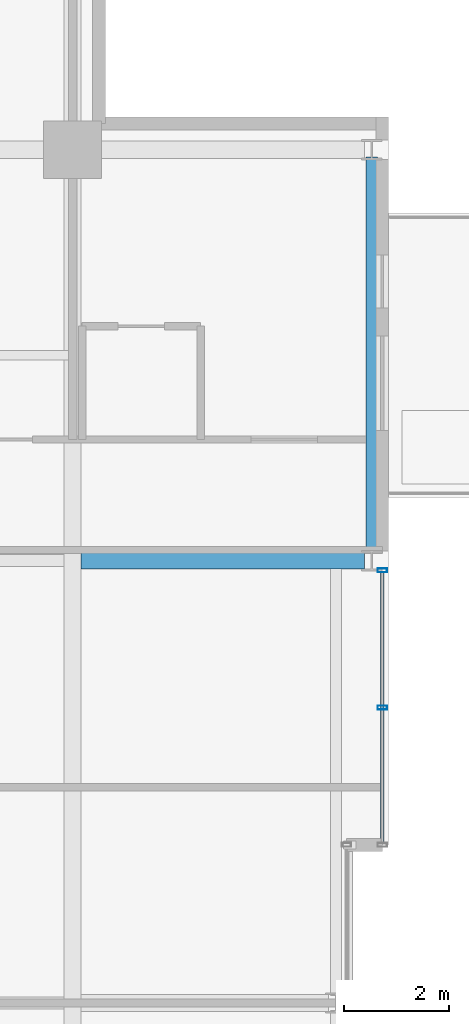
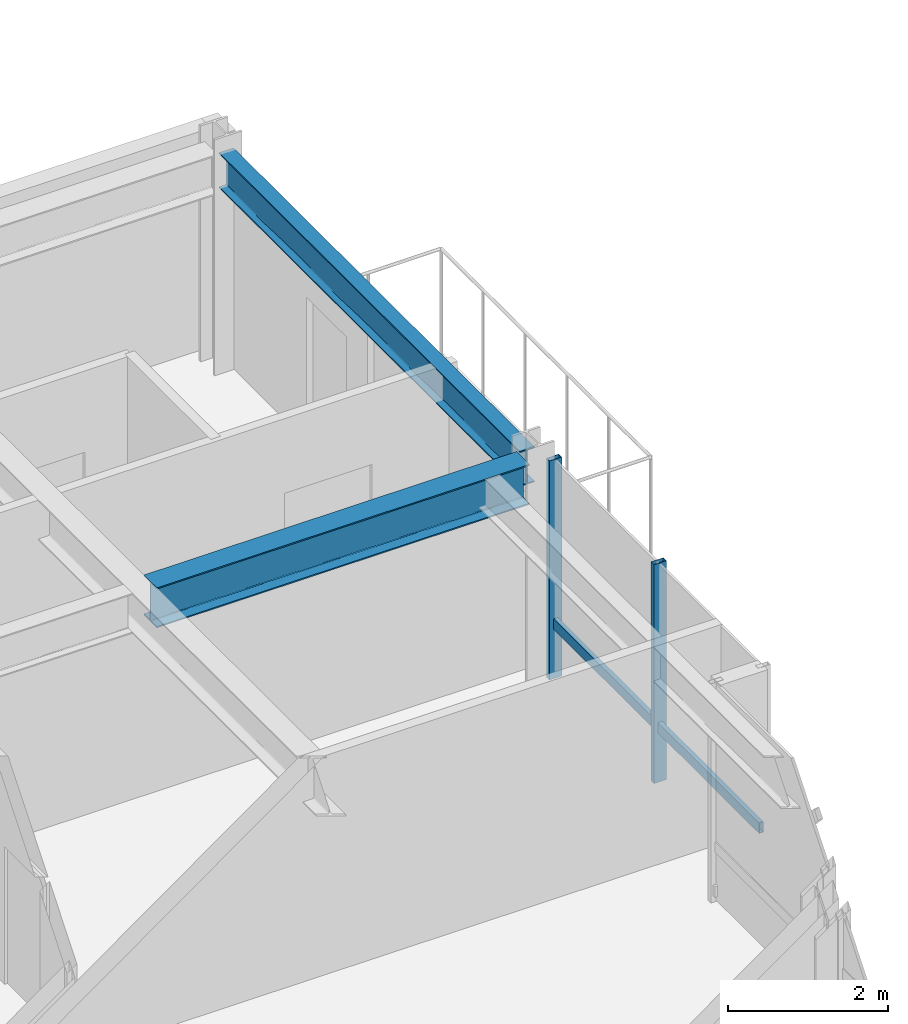
# One storey, part 22 of 32: 3 members, 2 beams, 1 element without a shape of its own.
"""IFC4 building model written with IfcOpenShell, lengths in metres."""

from ifc_helpers import new_model, si_unit, direction, frame, origin, origin_2d, place, context, subcontext, project, spatial, hollow_rectangle, i_section, extrude, material, layer, layer_set, material_profile, profile_set, type_object, element, aggregate, save


model = new_model("IFC4")

# Units and contexts
model_context = context("Model", 3, precision=1e-05, world=origin(), true_north=direction((0.0, 1.0)))
body_context = subcontext(model_context, "Body", "Model", "MODEL_VIEW")
ifc_project = project(units=[si_unit("LENGTHUNIT", "METRE"), si_unit("AREAUNIT", "SQUARE_METRE"), si_unit("VOLUMEUNIT", "CUBIC_METRE"), si_unit("PLANEANGLEUNIT", "RADIAN"), si_unit("MASSUNIT", "GRAM", prefix="KILO")], contexts=[model_context])

# Site, building, storey
site_placement = place(None, origin())
site = spatial("IfcSite", under=ifc_project, at=site_placement, CompositionType="ELEMENT")
building_placement = place(site_placement, origin())
building = spatial("IfcBuilding", under=site, at=building_placement, Name="Drelvath Grand Hotel", CompositionType="ELEMENT")
storey_placement = place(building_placement, frame((0.0, 0.0, 205.10009765625)))
storey = spatial("IfcBuildingStorey", under=building, at=storey_placement, Name="L53", CompositionType="ELEMENT", Elevation=205.10009765625)

# Curtain wall, members
ifc_material_1 = material(Name="Platinum-Mist Anodised Aluminium Frame", Category="aluminium")
ifc_layer = layer(ifc_material_1, 0.199951171875)
ifc_layer_set = layer_set([ifc_layer], Name="Platinum-Mist Anodised Aluminium Frame")
curtain_wall_type = type_object("IfcCurtainWallType", Name="Stick Curtain Wall CW-05 Platinum Mist High-Rise", PredefinedType="NOTDEFINED", material=ifc_layer_set)
curtain_wall_placement = place(storey_placement, origin())
curtain_wall = element("IfcCurtainWall", 1, at=curtain_wall_placement, inside=storey, type_object=curtain_wall_type, Name="L53 CW-05 Curtain Wall CW05-L53-EN1", PredefinedType="NOTDEFINED")
ifc_material_profile_1 = material_profile(ifc_material_1, hollow_rectangle(XDim=0.06494140625, YDim=0.159912109375, WallThickness=0.00390625, at=origin_2d()), Name="HSS160X65X4")
ifc_profile_set_1 = profile_set([ifc_material_profile_1], Name="Platinum-Mist Anodised Aluminium Frame")
member_type_1 = type_object("IfcMemberType", Name="Curtain Wall Horizontal Transom CW-05 HSS160X65X4", PredefinedType="USERDEFINED", material=ifc_profile_set_1)
member_1_placement = place(storey_placement, frame((22.080078125, 35.1748046875, 0.8349609375), z_axis=(0.0, -1.0, 0.0), x_axis=(1.0, 0.0, 0.0)))
member_1 = element("IfcMember", 2, at=member_1_placement, type_object=member_type_1, Name="CW05-L53-EN1 Sill Transom", ObjectType="TRANSOM", PredefinedType="USERDEFINED", context=body_context, shape_type="SweptSolid", body=[
    extrude(hollow_rectangle(XDim=0.06494140625, YDim=0.159912109375, WallThickness=0.00390625, at=origin_2d()), origin(), (0.0, 0.0, 1.0), 5.134765625),
])
ifc_material_profile_2 = material_profile(ifc_material_1, hollow_rectangle(XDim=0.074951171875, YDim=0.179931640625, WallThickness=0.0048828125, at=origin_2d()), Name="HSS180X75X5")
ifc_profile_set_2 = profile_set([ifc_material_profile_2], Name="Platinum-Mist Anodised Aluminium Frame")
member_type_2 = type_object("IfcMemberType", Name="Curtain Wall Vertical Mullion CW-05 HSS180X75X5", PredefinedType="MULLION", material=ifc_profile_set_2)
member_2_placement = place(storey_placement, frame((22.080078125, 35.214599609375, 0.0), z_axis=(0.0, 0.0, 1.0), x_axis=(0.0, 1.0, 0.0)))
member_2 = element("IfcMember", 3, at=member_2_placement, type_object=member_type_2, Name="CW05-L53-EN1 Mullion 1", PredefinedType="MULLION", context=body_context, shape_type="SweptSolid", body=[
    extrude(hollow_rectangle(XDim=0.074951171875, YDim=0.179931640625, WallThickness=0.0048828125, at=origin_2d()), origin(), (0.0, 0.0, 1.0), 3.33984375),
])
member_3_placement = place(storey_placement, frame((22.080078125, 32.607421875, 0.0), z_axis=(0.0, 0.0, 1.0), x_axis=(0.0, 1.0, 0.0)))
member_3 = element("IfcMember", 4, at=member_3_placement, type_object=member_type_2, Name="CW05-L53-EN1 Mullion 2", PredefinedType="MULLION", context=body_context, shape_type="SweptSolid", body=[
    extrude(hollow_rectangle(XDim=0.074951171875, YDim=0.179931640625, WallThickness=0.0048828125, at=origin_2d()), origin(), (0.0, 0.0, 1.0), 3.33984375),
])
aggregate(curtain_wall, [member_2, member_3, member_1])

# Beams
ifc_material_2 = material(Name="Steel ASTM A992 Gr 50", Category="steel")
ifc_material_profile_3 = material_profile(ifc_material_2, i_section(OverallWidth=0.210205078125, OverallDepth=0.53662109375, WebThickness=0.010986328125, FlangeThickness=0.017333984375, FilletRadius=0.01806640625, at=origin_2d()), Name="W21X68")
ifc_profile_set_3 = profile_set([ifc_material_profile_3], Name="Steel ASTM A992 Gr 50")
beam_type_1 = type_object("IfcBeamType", Name="Perimeter Spandrel Beam W21X68", PredefinedType="SPANDREL", material=ifc_profile_set_3)
beam_1_placement = place(storey_placement, frame((21.8798828125, 35.5400390625, 3.071533203125), z_axis=(0.0, 1.0, 0.0), x_axis=(-1.0, 0.0, 0.0)))
element("IfcBeam", 5, at=beam_1_placement, inside=storey, type_object=beam_type_1, Name="L53 Spandrel East N", PredefinedType="SPANDREL", context=body_context, shape_type="SweptSolid", body=[
    extrude(i_section(OverallWidth=0.210205078125, OverallDepth=0.53662109375, WebThickness=0.010986328125, FlangeThickness=0.017333984375, FilletRadius=0.01806640625, at=origin_2d()), origin(), (0.0, 0.0, 1.0), 7.52001953125),
])
ifc_material_profile_4 = material_profile(ifc_material_2, i_section(OverallWidth=0.323974609375, OverallDepth=0.611083984375, WebThickness=0.0126953125, FlangeThickness=0.01904296875, FilletRadius=0.02197265625, at=origin_2d()), Name="W24X104")
ifc_profile_set_4 = profile_set([ifc_material_profile_4], Name="Steel ASTM A992 Gr 50")
beam_type_2 = type_object("IfcBeamType", Name="Primary Floor Girder W24X104", PredefinedType="BEAM", material=ifc_profile_set_4)
beam_2_placement = place(storey_placement, frame((16.362060546875, 35.39990234375, 3.034423828125), z_axis=(1.0, 0.0, 0.0), x_axis=(0.0, 1.0, 0.0)))
element("IfcBeam", 6, at=beam_2_placement, inside=storey, type_object=beam_type_2, Name="L53 East Wing Girder F", PredefinedType="BEAM", context=body_context, shape_type="SweptSolid", body=[
    extrude(i_section(OverallWidth=0.323974609375, OverallDepth=0.611083984375, WebThickness=0.0126953125, FlangeThickness=0.01904296875, FilletRadius=0.02197265625, at=origin_2d()), origin(), (0.0, 0.0, 1.0), 5.3779296875),
])

save(model, "model.ifc")
